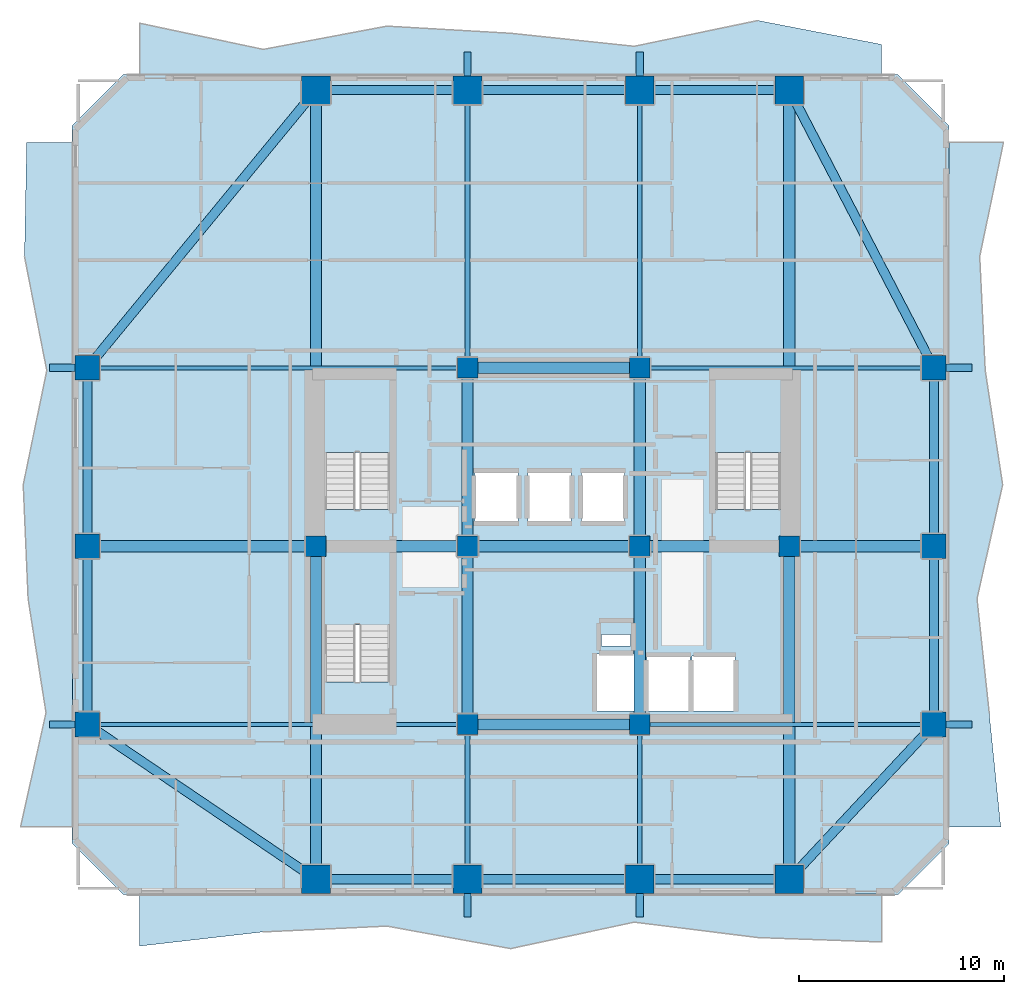
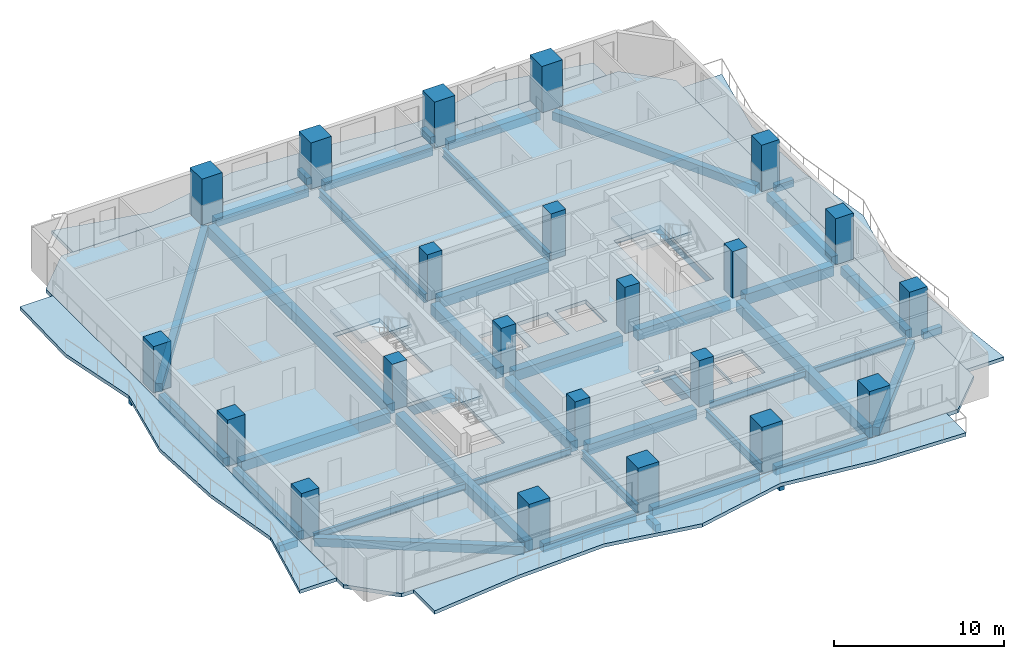
# One storey, part 1 of 12: 45 beams, 22 columns, 8 slabs, 3 elements without a shape of their own.
"""IFC4 building model written with IfcOpenShell, lengths in metres."""

from ifc_helpers import new_model, si_unit, direction, frame, origin, origin_2d, place, context, subcontext, project, spatial, polyline, rectangle, i_section, outline, extrude, material, layer, layer_set, material_profile, profile_set, type_object, element, aggregate, save


model = new_model("IFC4")

# Units and contexts
model_context = context("Model", 3, precision=1e-05, world=origin(), true_north=direction((0.0, 1.0)))
body_context = subcontext(model_context, "Body", "Model", "MODEL_VIEW")
ifc_project = project(units=[si_unit("LENGTHUNIT", "METRE"), si_unit("AREAUNIT", "SQUARE_METRE"), si_unit("VOLUMEUNIT", "CUBIC_METRE"), si_unit("PLANEANGLEUNIT", "RADIAN"), si_unit("MASSUNIT", "GRAM", prefix="KILO")], contexts=[model_context])

# Site, building, storey
site_placement = place(None, origin())
site = spatial("IfcSite", under=ifc_project, at=site_placement, CompositionType="ELEMENT")
building_placement = place(site_placement, origin())
building = spatial("IfcBuilding", under=site, at=building_placement, Name="Solanera Arch Residences", CompositionType="ELEMENT")
storey_placement = place(building_placement, frame((0.0, 0.0, 96.1201171875)))
storey = spatial("IfcBuildingStorey", under=building, at=storey_placement, Name="L27", CompositionType="ELEMENT", Elevation=96.1201171875)

# Columns
ifc_material_1 = material(Name="Concrete C55/67 (f'c = 60 MPa)", Category="concrete")
ifc_material_profile_1 = material_profile(ifc_material_1, rectangle(XDim=1.0, YDim=1.0, at=origin_2d()))
ifc_profile_set_1 = profile_set([ifc_material_profile_1], Name="Concrete C55/67 (f'c = 60 MPa)")
column_type_1 = type_object("IfcColumnType", Name="Structural Column RC-COL-1000X1000", PredefinedType="COLUMN", material=ifc_profile_set_1)
for number, where, z_axis, x_axis, name in (
    (1, (20.800048828125, 22.0, 0.0), (0.0, 0.0, 1.0), (1.0, 0.0, 0.0), "COL-L27-CB-SW"),
    (2, (29.199951171875, 22.0, 0.0), (0.0, 0.0, 1.0), (1.0, 0.0, 0.0), "COL-L27-CB-SE"),
    (3, (20.800048828125, 39.39990234375, 0.0), (0.0, 0.0, 1.0), (1.0, 0.0, 0.0), "COL-L27-CB-NW"),
    (4, (29.199951171875, 39.39990234375, 0.0), (0.0, 0.0, 1.0), (1.0, 0.0, 0.0), "COL-L27-CB-NE"),
    (5, (13.39990234375, 30.699951171875, 0.0), (0.0, 0.0, 1.0), (1.0, 0.0, 0.0), "COL-L27-CB-WW"),
    (6, (36.5, 30.699951171875, 0.0), (0.0, 0.0, 1.0), (1.0, 0.0, 0.0), "COL-L27-CB-EE"),
    (7, (20.800048828125, 30.699951171875, 0.0), (0.0, 0.0, 1.0), (1.0, 0.0, 0.0), "COL-L27-CORE-W"),
    (8, (29.199951171875, 30.699951171875, 0.0), (0.0, 0.0, 1.0), (1.0, 0.0, 0.0), "COL-L27-CORE-E"),
):
    element("IfcColumn", number, at=place(storey_placement, frame(where, z_axis=z_axis, x_axis=x_axis)), inside=storey, type_object=column_type_1, Name=name, PredefinedType="COLUMN", context=body_context, shape_type="SweptSolid", body=[
        extrude(rectangle(XDim=1.0, YDim=1.0, at=origin_2d()), origin(), (0.0, 0.0, 1.0), 3.31982421875),
    ])
ifc_material_2 = material(Name="Concrete C55/67 (f'c = 60 MPa)", Category="concrete")
ifc_material_profile_2 = material_profile(ifc_material_2, rectangle(XDim=1.199951171875, YDim=1.199951171875, at=origin_2d()))
ifc_profile_set_2 = profile_set([ifc_material_profile_2], Name="Concrete C55/67 (f'c = 60 MPa)")
column_type_2 = type_object("IfcColumnType", Name="Structural Column RC-COL-1200X1200", PredefinedType="COLUMN", material=ifc_profile_set_2)
for number, where, z_axis, x_axis, name in (
    (9, (2.25, 22.0, 0.0), (0.0, 0.0, 1.0), (1.0, 0.0, 0.0), "COL-L27-TWR-09"),
    (10, (43.550048828125, 22.0, 0.0), (0.0, 0.0, 1.0), (1.0, 0.0, 0.0), "COL-L27-TWR-10"),
    (11, (2.25, 30.699951171875, 0.0), (0.0, 0.0, 1.0), (1.0, 0.0, 0.0), "COL-L27-TWR-11"),
    (12, (43.550048828125, 30.699951171875, 0.0), (0.0, 0.0, 1.0), (1.0, 0.0, 0.0), "COL-L27-TWR-12"),
    (13, (2.25, 39.39990234375, 0.0), (0.0, 0.0, 1.0), (1.0, 0.0, 0.0), "COL-L27-TWR-13"),
    (14, (43.550048828125, 39.39990234375, 0.0), (0.0, 0.0, 1.0), (1.0, 0.0, 0.0), "COL-L27-TWR-14"),
):
    element("IfcColumn", number, at=place(storey_placement, frame(where, z_axis=z_axis, x_axis=x_axis)), inside=storey, type_object=column_type_2, Name=name, PredefinedType="COLUMN", context=body_context, shape_type="SweptSolid", body=[
        extrude(rectangle(XDim=1.199951171875, YDim=1.199951171875, at=origin_2d()), origin(), (0.0, 0.0, 1.0), 3.31982421875),
    ])
ifc_material_3 = material(Name="Concrete C55/67 (f'c = 60 MPa)", Category="concrete")
ifc_material_profile_3 = material_profile(ifc_material_3, rectangle(XDim=1.39990234375, YDim=1.39990234375, at=origin_2d()))
ifc_profile_set_3 = profile_set([ifc_material_profile_3], Name="Concrete C55/67 (f'c = 60 MPa)")
column_type_3 = type_object("IfcColumnType", Name="Structural Column RC-COL-1400X1400", PredefinedType="COLUMN", material=ifc_profile_set_3)
for number, where, z_axis, x_axis, name in (
    (15, (13.39990234375, 14.449951171875, 0.0), (0.0, 0.0, 1.0), (1.0, 0.0, 0.0), "COL-L27-TWR-01"),
    (16, (13.39990234375, 52.949951171875, 0.0), (0.0, 0.0, 1.0), (1.0, 0.0, 0.0), "COL-L27-TWR-02"),
    (17, (20.800048828125, 14.449951171875, 0.0), (0.0, 0.0, 1.0), (1.0, 0.0, 0.0), "COL-L27-TWR-03"),
    (18, (20.800048828125, 52.949951171875, 0.0), (0.0, 0.0, 1.0), (1.0, 0.0, 0.0), "COL-L27-TWR-04"),
    (19, (29.199951171875, 14.449951171875, 0.0), (0.0, 0.0, 1.0), (1.0, 0.0, 0.0), "COL-L27-TWR-05"),
    (20, (29.199951171875, 52.949951171875, 0.0), (0.0, 0.0, 1.0), (1.0, 0.0, 0.0), "COL-L27-TWR-06"),
    (21, (36.5, 14.449951171875, 0.0), (0.0, 0.0, 1.0), (1.0, 0.0, 0.0), "COL-L27-TWR-07"),
    (22, (36.5, 52.949951171875, 0.0), (0.0, 0.0, 1.0), (1.0, 0.0, 0.0), "COL-L27-TWR-08"),
):
    element("IfcColumn", number, at=place(storey_placement, frame(where, z_axis=z_axis, x_axis=x_axis)), inside=storey, type_object=column_type_3, Name=name, PredefinedType="COLUMN", context=body_context, shape_type="SweptSolid", body=[
        extrude(rectangle(XDim=1.39990234375, YDim=1.39990234375, at=origin_2d()), origin(), (0.0, 0.0, 1.0), 3.31982421875),
    ])

# Beams
ifc_material_4 = material(Name="Concrete C40/50 (f'c = 45 MPa)", Category="concrete")
ifc_material_profile_4 = material_profile(ifc_material_4, rectangle(XDim=0.35009765625, YDim=0.5, at=origin_2d()))
ifc_profile_set_4 = profile_set([ifc_material_profile_4], Name="Concrete C40/50 (f'c = 45 MPa)")
beam_type_1 = type_object("IfcBeamType", Name="BM-BALC-RIB", PredefinedType="BEAM", material=ifc_profile_set_4)
for number, where, z_axis, x_axis, name in (
    (23, (20.800048828125, 12.60009765625, -0.5), (0.0, 1.0, 0.0), (-1.0, 0.0, 0.0), "BM-L27-BRIB-S1"),
    (24, (29.199951171875, 12.60009765625, -0.5), (0.0, 1.0, 0.0), (-1.0, 0.0, 0.0), "BM-L27-BRIB-S2"),
):
    element("IfcBeam", number, at=place(storey_placement, frame(where, z_axis=z_axis, x_axis=x_axis)), inside=storey, type_object=beam_type_1, Name=name, PredefinedType="BEAM", context=body_context, shape_type="SweptSolid", body=[
        extrude(rectangle(XDim=0.35009765625, YDim=0.5, at=origin_2d()), origin(), (0.0, 0.0, 1.0), 1.14990234375),
    ])
for number, where, z_axis, x_axis, name in (
    (25, (20.800048828125, 53.64990234375, -0.5), (0.0, 1.0, 0.0), (-1.0, 0.0, 0.0), "BM-L27-BRIB-N1"),
    (26, (29.199951171875, 53.64990234375, -0.5), (0.0, 1.0, 0.0), (-1.0, 0.0, 0.0), "BM-L27-BRIB-N2"),
):
    element("IfcBeam", number, at=place(storey_placement, frame(where, z_axis=z_axis, x_axis=x_axis)), inside=storey, type_object=beam_type_1, Name=name, PredefinedType="BEAM", context=body_context, shape_type="SweptSolid", body=[
        extrude(rectangle(XDim=0.35009765625, YDim=0.5, at=origin_2d()), origin(), (0.0, 0.0, 1.0), 1.150146484375),
    ])
for number, where, z_axis, x_axis, name in (
    (27, (44.14990234375, 22.0, -0.5), (1.0, 0.0, 0.0), (0.0, 1.0, 0.0), "BM-L27-BRIB-E1"),
    (28, (44.14990234375, 39.39990234375, -0.5), (1.0, 0.0, 0.0), (0.0, 1.0, 0.0), "BM-L27-BRIB-E2"),
    (29, (0.39990234375, 22.0, -0.5), (1.0, 0.0, 0.0), (0.0, 1.0, 0.0), "BM-L27-BRIB-W1"),
    (30, (0.39990234375, 39.39990234375, -0.5), (1.0, 0.0, 0.0), (0.0, 1.0, 0.0), "BM-L27-BRIB-W2"),
):
    element("IfcBeam", number, at=place(storey_placement, frame(where, z_axis=z_axis, x_axis=x_axis)), inside=storey, type_object=beam_type_1, Name=name, PredefinedType="BEAM", context=body_context, shape_type="SweptSolid", body=[
        extrude(rectangle(XDim=0.35009765625, YDim=0.5, at=origin_2d()), origin(), (0.0, 0.0, 1.0), 1.25),
    ])
ifc_material_5 = material(Name="Concrete C40/50 (f'c = 45 MPa)", Category="concrete")
ifc_material_profile_5 = material_profile(ifc_material_5, rectangle(XDim=0.550048828125, YDim=0.75, at=origin_2d()))
ifc_profile_set_5 = profile_set([ifc_material_profile_5], Name="Concrete C40/50 (f'c = 45 MPa)")
beam_type_2 = type_object("IfcBeamType", Name="Primary Beam RC-BM-550X750", PredefinedType="BEAM", material=ifc_profile_set_5)
beam_1_placement = place(storey_placement, frame((20.800048828125, 22.50390625, -0.635009765625), z_axis=(0.0, 1.0, 0.0), x_axis=(-1.0, 0.0, 0.0)))
element("IfcBeam", 31, at=beam_1_placement, inside=storey, type_object=beam_type_2, Name="BM-L27-CC-S-208", PredefinedType="BEAM", context=body_context, shape_type="SweptSolid", body=[
    extrude(rectangle(XDim=0.550048828125, YDim=0.75, at=origin_2d()), origin(), (0.0, 0.0, 1.0), 7.692138671875),
])
beam_2_placement = place(storey_placement, frame((20.800048828125, 31.2041015625, -0.635009765625), z_axis=(0.0, 1.0, 0.0), x_axis=(-1.0, 0.0, 0.0)))
element("IfcBeam", 32, at=beam_2_placement, inside=storey, type_object=beam_type_2, Name="BM-L27-CC-N-208", PredefinedType="BEAM", context=body_context, shape_type="SweptSolid", body=[
    extrude(rectangle(XDim=0.550048828125, YDim=0.75, at=origin_2d()), origin(), (0.0, 0.0, 1.0), 7.69189453125),
])
beam_3_placement = place(storey_placement, frame((29.199951171875, 22.50390625, -0.635009765625), z_axis=(0.0, 1.0, 0.0), x_axis=(-1.0, 0.0, 0.0)))
element("IfcBeam", 33, at=beam_3_placement, inside=storey, type_object=beam_type_2, Name="BM-L27-CC-S-292", PredefinedType="BEAM", context=body_context, shape_type="SweptSolid", body=[
    extrude(rectangle(XDim=0.550048828125, YDim=0.75, at=origin_2d()), origin(), (0.0, 0.0, 1.0), 7.692138671875),
])
beam_4_placement = place(storey_placement, frame((29.199951171875, 31.2041015625, -0.635009765625), z_axis=(0.0, 1.0, 0.0), x_axis=(-1.0, 0.0, 0.0)))
element("IfcBeam", 34, at=beam_4_placement, inside=storey, type_object=beam_type_2, Name="BM-L27-CC-N-292", PredefinedType="BEAM", context=body_context, shape_type="SweptSolid", body=[
    extrude(rectangle(XDim=0.550048828125, YDim=0.75, at=origin_2d()), origin(), (0.0, 0.0, 1.0), 7.69189453125),
])
for number, where, z_axis, x_axis, name in (
    (35, (21.303955078125, 22.0, -0.635009765625), (1.0, 0.0, 0.0), (0.0, 1.0, 0.0), "BM-L27-CC-M-220"),
    (36, (21.303955078125, 30.699951171875, -0.635009765625), (1.0, 0.0, 0.0), (0.0, 1.0, 0.0), "BM-L27-CC-M-307"),
    (37, (21.303955078125, 39.39990234375, -0.635009765625), (1.0, 0.0, 0.0), (0.0, 1.0, 0.0), "BM-L27-CC-M-394"),
):
    element("IfcBeam", number, at=place(storey_placement, frame(where, z_axis=z_axis, x_axis=x_axis)), inside=storey, type_object=beam_type_2, Name=name, PredefinedType="BEAM", context=body_context, shape_type="SweptSolid", body=[
        extrude(rectangle(XDim=0.550048828125, YDim=0.75, at=origin_2d()), origin(), (0.0, 0.0, 1.0), 7.39208984375),
    ])
beam_5_placement = place(storey_placement, frame((13.904052734375, 30.699951171875, -0.635009765625), z_axis=(1.0, 0.0, 0.0), x_axis=(0.0, 1.0, 0.0)))
element("IfcBeam", 38, at=beam_5_placement, inside=storey, type_object=beam_type_2, Name="BM-L27-CC-W", PredefinedType="BEAM", context=body_context, shape_type="SweptSolid", body=[
    extrude(rectangle(XDim=0.550048828125, YDim=0.75, at=origin_2d()), origin(), (0.0, 0.0, 1.0), 6.391845703125),
])
beam_6_placement = place(storey_placement, frame((29.7041015625, 30.699951171875, -0.635009765625), z_axis=(1.0, 0.0, 0.0), x_axis=(0.0, 1.0, 0.0)))
element("IfcBeam", 39, at=beam_6_placement, inside=storey, type_object=beam_type_2, Name="BM-L27-CC-E", PredefinedType="BEAM", context=body_context, shape_type="SweptSolid", body=[
    extrude(rectangle(XDim=0.550048828125, YDim=0.75, at=origin_2d()), origin(), (0.0, 0.0, 1.0), 6.2919921875),
])
beam_7_placement = place(storey_placement, frame((13.39990234375, 14.989990234375, -0.635009765625), z_axis=(0.0, 1.0, 0.0), x_axis=(-1.0, 0.0, 0.0)))
element("IfcBeam", 40, at=beam_7_placement, inside=storey, type_object=beam_type_2, Name="BM-L27-RAD-OS-134", PredefinedType="BEAM", context=body_context, shape_type="SweptSolid", body=[
    extrude(rectangle(XDim=0.550048828125, YDim=0.75, at=origin_2d()), origin(), (0.0, 0.0, 1.0), 15.2060546875),
])
beam_8_placement = place(storey_placement, frame((13.39990234375, 31.2041015625, -0.635009765625), z_axis=(0.0, 1.0, 0.0), x_axis=(-1.0, 0.0, 0.0)))
element("IfcBeam", 41, at=beam_8_placement, inside=storey, type_object=beam_type_2, Name="BM-L27-RAD-ON-134", PredefinedType="BEAM", context=body_context, shape_type="SweptSolid", body=[
    extrude(rectangle(XDim=0.550048828125, YDim=0.75, at=origin_2d()), origin(), (0.0, 0.0, 1.0), 21.205810546875),
])
beam_9_placement = place(storey_placement, frame((36.5, 14.989990234375, -0.635009765625), z_axis=(0.0, 1.0, 0.0), x_axis=(-1.0, 0.0, 0.0)))
element("IfcBeam", 42, at=beam_9_placement, inside=storey, type_object=beam_type_2, Name="BM-L27-RAD-OS-365", PredefinedType="BEAM", context=body_context, shape_type="SweptSolid", body=[
    extrude(rectangle(XDim=0.550048828125, YDim=0.75, at=origin_2d()), origin(), (0.0, 0.0, 1.0), 15.2060546875),
])
beam_10_placement = place(storey_placement, frame((36.5, 31.2041015625, -0.635009765625), z_axis=(0.0, 1.0, 0.0), x_axis=(-1.0, 0.0, 0.0)))
element("IfcBeam", 43, at=beam_10_placement, inside=storey, type_object=beam_type_2, Name="BM-L27-RAD-ON-365", PredefinedType="BEAM", context=body_context, shape_type="SweptSolid", body=[
    extrude(rectangle(XDim=0.550048828125, YDim=0.75, at=origin_2d()), origin(), (0.0, 0.0, 1.0), 21.205810546875),
])
beam_11_placement = place(storey_placement, frame((2.7900390625, 30.699951171875, -0.635009765625), z_axis=(1.0, 0.0, 0.0), x_axis=(0.0, 1.0, 0.0)))
element("IfcBeam", 44, at=beam_11_placement, inside=storey, type_object=beam_type_2, Name="BM-L27-RAD-MW", PredefinedType="BEAM", context=body_context, shape_type="SweptSolid", body=[
    extrude(rectangle(XDim=0.550048828125, YDim=0.75, at=origin_2d()), origin(), (0.0, 0.0, 1.0), 10.10595703125),
])
beam_12_placement = place(storey_placement, frame((37.00390625, 30.699951171875, -0.635009765625), z_axis=(1.0, 0.0, 0.0), x_axis=(0.0, 1.0, 0.0)))
element("IfcBeam", 45, at=beam_12_placement, inside=storey, type_object=beam_type_2, Name="BM-L27-RAD-ME", PredefinedType="BEAM", context=body_context, shape_type="SweptSolid", body=[
    extrude(rectangle(XDim=0.550048828125, YDim=0.75, at=origin_2d()), origin(), (0.0, 0.0, 1.0), 6.006103515625),
])
ifc_material_6 = material(Name="Steel S355 (ASTM A992 / A572 Grade 50)", Category="steel")
ifc_material_profile_6 = material_profile(ifc_material_6, i_section(OverallWidth=0.22998046875, OverallDepth=0.616943359375, WebThickness=0.01318359375, FlangeThickness=0.022216796875, at=origin_2d()))
ifc_profile_set_6 = profile_set([ifc_material_profile_6], Name="Steel S355 (ASTM A992 / A572 Grade 50)")
beam_type_3 = type_object("IfcBeamType", Name="Primary Beam W610X140", PredefinedType="BEAM", material=ifc_profile_set_6)
beam_13_placement = place(storey_placement, frame((20.800048828125, 14.989990234375, -0.568115234375), z_axis=(0.0, 1.0, 0.0), x_axis=(-1.0, 0.0, 0.0)))
element("IfcBeam", 46, at=beam_13_placement, inside=storey, type_object=beam_type_3, Name="BM-L27-RAD-S-208", PredefinedType="BEAM", context=body_context, shape_type="SweptSolid", body=[
    extrude(i_section(OverallWidth=0.22998046875, OverallDepth=0.616943359375, WebThickness=0.01318359375, FlangeThickness=0.022216796875, at=origin_2d()), origin(), (0.0, 0.0, 1.0), 6.506103515625),
])
beam_14_placement = place(storey_placement, frame((20.800048828125, 39.904052734375, -0.568115234375), z_axis=(0.0, 1.0, 0.0), x_axis=(-1.0, 0.0, 0.0)))
element("IfcBeam", 47, at=beam_14_placement, inside=storey, type_object=beam_type_3, Name="BM-L27-RAD-N-208", PredefinedType="BEAM", context=body_context, shape_type="SweptSolid", body=[
    extrude(i_section(OverallWidth=0.22998046875, OverallDepth=0.616943359375, WebThickness=0.01318359375, FlangeThickness=0.022216796875, at=origin_2d()), origin(), (0.0, 0.0, 1.0), 12.505859375),
])
beam_15_placement = place(storey_placement, frame((29.199951171875, 14.989990234375, -0.568115234375), z_axis=(0.0, 1.0, 0.0), x_axis=(-1.0, 0.0, 0.0)))
element("IfcBeam", 48, at=beam_15_placement, inside=storey, type_object=beam_type_3, Name="BM-L27-RAD-S-292", PredefinedType="BEAM", context=body_context, shape_type="SweptSolid", body=[
    extrude(i_section(OverallWidth=0.22998046875, OverallDepth=0.616943359375, WebThickness=0.01318359375, FlangeThickness=0.022216796875, at=origin_2d()), origin(), (0.0, 0.0, 1.0), 6.506103515625),
])
beam_16_placement = place(storey_placement, frame((29.199951171875, 39.904052734375, -0.568115234375), z_axis=(0.0, 1.0, 0.0), x_axis=(-1.0, 0.0, 0.0)))
element("IfcBeam", 49, at=beam_16_placement, inside=storey, type_object=beam_type_3, Name="BM-L27-RAD-N-292", PredefinedType="BEAM", context=body_context, shape_type="SweptSolid", body=[
    extrude(i_section(OverallWidth=0.22998046875, OverallDepth=0.616943359375, WebThickness=0.01318359375, FlangeThickness=0.022216796875, at=origin_2d()), origin(), (0.0, 0.0, 1.0), 12.505859375),
])
ifc_material_7 = material(Name="Steel S355 (ASTM A992 / A572 Grade 50)", Category="steel")
ifc_material_profile_7 = material_profile(ifc_material_7, i_section(OverallWidth=0.19091796875, OverallDepth=0.4599609375, WebThickness=0.010009765625, FlangeThickness=0.01611328125, at=origin_2d()))
ifc_profile_set_7 = profile_set([ifc_material_profile_7], Name="Steel S355 (ASTM A992 / A572 Grade 50)")
beam_type_4 = type_object("IfcBeamType", Name="Secondary Joist W460X82", PredefinedType="JOIST", material=ifc_profile_set_7)
beam_17_placement = place(storey_placement, frame((2.7900390625, 22.0, -0.490234375), z_axis=(1.0, 0.0, 0.0), x_axis=(0.0, 1.0, 0.0)))
element("IfcBeam", 50, at=beam_17_placement, inside=storey, type_object=beam_type_4, Name="BM-L27-RAD-W-220", PredefinedType="JOIST", context=body_context, shape_type="SweptSolid", body=[
    extrude(i_section(OverallWidth=0.19091796875, OverallDepth=0.4599609375, WebThickness=0.010009765625, FlangeThickness=0.01611328125, at=origin_2d()), origin(), (0.0, 0.0, 1.0), 17.505859375),
])
beam_18_placement = place(storey_placement, frame((29.7041015625, 22.0, -0.490234375), z_axis=(1.0, 0.0, 0.0), x_axis=(0.0, 1.0, 0.0)))
element("IfcBeam", 51, at=beam_18_placement, inside=storey, type_object=beam_type_4, Name="BM-L27-RAD-E-220", PredefinedType="JOIST", context=body_context, shape_type="SweptSolid", body=[
    extrude(i_section(OverallWidth=0.19091796875, OverallDepth=0.4599609375, WebThickness=0.010009765625, FlangeThickness=0.01611328125, at=origin_2d()), origin(), (0.0, 0.0, 1.0), 13.305908203125),
])
beam_19_placement = place(storey_placement, frame((2.7900390625, 39.39990234375, -0.490234375), z_axis=(1.0, 0.0, 0.0), x_axis=(0.0, 1.0, 0.0)))
element("IfcBeam", 52, at=beam_19_placement, inside=storey, type_object=beam_type_4, Name="BM-L27-RAD-W-394", PredefinedType="JOIST", context=body_context, shape_type="SweptSolid", body=[
    extrude(i_section(OverallWidth=0.19091796875, OverallDepth=0.4599609375, WebThickness=0.010009765625, FlangeThickness=0.01611328125, at=origin_2d()), origin(), (0.0, 0.0, 1.0), 17.505859375),
])
beam_20_placement = place(storey_placement, frame((29.7041015625, 39.39990234375, -0.490234375), z_axis=(1.0, 0.0, 0.0), x_axis=(0.0, 1.0, 0.0)))
element("IfcBeam", 53, at=beam_20_placement, inside=storey, type_object=beam_type_4, Name="BM-L27-RAD-E-394", PredefinedType="JOIST", context=body_context, shape_type="SweptSolid", body=[
    extrude(i_section(OverallWidth=0.19091796875, OverallDepth=0.4599609375, WebThickness=0.010009765625, FlangeThickness=0.01611328125, at=origin_2d()), origin(), (0.0, 0.0, 1.0), 13.305908203125),
])
ifc_material_8 = material(Name="Concrete C40/50 (f'c = 45 MPa)", Category="concrete")
ifc_material_profile_8 = material_profile(ifc_material_8, rectangle(XDim=0.449951171875, YDim=0.60009765625, at=origin_2d()))
ifc_profile_set_8 = profile_set([ifc_material_profile_8], Name="Concrete C40/50 (f'c = 45 MPa)")
beam_type_5 = type_object("IfcBeamType", Name="Spandrel Beam RC-BM-450X600", PredefinedType="SPANDREL", material=ifc_profile_set_8)
for number, where, z_axis, x_axis, name in (
    (54, (13.93994140625, 14.449951171875, -0.56005859375), (1.0, 0.0, 0.0), (0.0, 1.0, 0.0), "BM-L27-SPN-S-1"),
    (55, (13.93994140625, 52.949951171875, -0.56005859375), (1.0, 0.0, 0.0), (0.0, 1.0, 0.0), "BM-L27-SPN-N-1"),
):
    element("IfcBeam", number, at=place(storey_placement, frame(where, z_axis=z_axis, x_axis=x_axis)), inside=storey, type_object=beam_type_5, Name=name, PredefinedType="SPANDREL", context=body_context, shape_type="SweptSolid", body=[
        extrude(rectangle(XDim=0.449951171875, YDim=0.60009765625, at=origin_2d()), origin(), (0.0, 0.0, 1.0), 6.320068359375),
    ])
for number, where, z_axis, x_axis, name in (
    (56, (21.340087890625, 14.449951171875, -0.56005859375), (1.0, 0.0, 0.0), (0.0, 1.0, 0.0), "BM-L27-SPN-S-2"),
    (57, (21.340087890625, 52.949951171875, -0.56005859375), (1.0, 0.0, 0.0), (0.0, 1.0, 0.0), "BM-L27-SPN-N-2"),
):
    element("IfcBeam", number, at=place(storey_placement, frame(where, z_axis=z_axis, x_axis=x_axis)), inside=storey, type_object=beam_type_5, Name=name, PredefinedType="SPANDREL", context=body_context, shape_type="SweptSolid", body=[
        extrude(rectangle(XDim=0.449951171875, YDim=0.60009765625, at=origin_2d()), origin(), (0.0, 0.0, 1.0), 7.31982421875),
    ])
for number, where, z_axis, x_axis, name in (
    (58, (29.739990234375, 14.449951171875, -0.56005859375), (1.0, 0.0, 0.0), (0.0, 1.0, 0.0), "BM-L27-SPN-S-3"),
    (59, (29.739990234375, 52.949951171875, -0.56005859375), (1.0, 0.0, 0.0), (0.0, 1.0, 0.0), "BM-L27-SPN-N-3"),
):
    element("IfcBeam", number, at=place(storey_placement, frame(where, z_axis=z_axis, x_axis=x_axis)), inside=storey, type_object=beam_type_5, Name=name, PredefinedType="SPANDREL", context=body_context, shape_type="SweptSolid", body=[
        extrude(rectangle(XDim=0.449951171875, YDim=0.60009765625, at=origin_2d()), origin(), (0.0, 0.0, 1.0), 6.219970703125),
    ])
for number, where, z_axis, x_axis, name in (
    (60, (2.25, 22.5400390625, -0.56005859375), (0.0, 1.0, 0.0), (-1.0, 0.0, 0.0), "BM-L27-SPN-W-1"),
    (61, (43.550048828125, 22.5400390625, -0.56005859375), (0.0, 1.0, 0.0), (-1.0, 0.0, 0.0), "BM-L27-SPN-E-1"),
):
    element("IfcBeam", number, at=place(storey_placement, frame(where, z_axis=z_axis, x_axis=x_axis)), inside=storey, type_object=beam_type_5, Name=name, PredefinedType="SPANDREL", context=body_context, shape_type="SweptSolid", body=[
        extrude(rectangle(XDim=0.449951171875, YDim=0.60009765625, at=origin_2d()), origin(), (0.0, 0.0, 1.0), 7.619873046875),
    ])
for number, where, z_axis, x_axis, name in (
    (62, (2.25, 31.239990234375, -0.56005859375), (0.0, 1.0, 0.0), (-1.0, 0.0, 0.0), "BM-L27-SPN-W-2"),
    (63, (43.550048828125, 31.239990234375, -0.56005859375), (0.0, 1.0, 0.0), (-1.0, 0.0, 0.0), "BM-L27-SPN-E-2"),
):
    element("IfcBeam", number, at=place(storey_placement, frame(where, z_axis=z_axis, x_axis=x_axis)), inside=storey, type_object=beam_type_5, Name=name, PredefinedType="SPANDREL", context=body_context, shape_type="SweptSolid", body=[
        extrude(rectangle(XDim=0.449951171875, YDim=0.60009765625, at=origin_2d()), origin(), (0.0, 0.0, 1.0), 7.6201171875),
    ])
beam_21_placement = place(storey_placement, frame((12.952880859375, 14.7529296875, -0.56005859375), z_axis=(-0.828047103834, 0.560658535859, 0.0), x_axis=(-0.560658535859, -0.828047103834, 0.0)))
element("IfcBeam", 64, at=beam_21_placement, inside=storey, type_object=beam_type_5, Name="BM-L27-SPN-SW", PredefinedType="SPANDREL", context=body_context, shape_type="SweptSolid", body=[
    extrude(rectangle(XDim=0.449951171875, YDim=0.60009765625, at=origin_2d()), origin(), (0.0, 0.0, 1.0), 12.385498046875),
])
beam_22_placement = place(storey_placement, frame((13.056884765625, 52.532958984375, -0.56005859375), z_axis=(-0.635411006368, -0.772174107949, 0.0), x_axis=(0.772174107949, -0.635411006368, 0.0)))
element("IfcBeam", 65, at=beam_22_placement, inside=storey, type_object=beam_type_5, Name="BM-L27-SPN-NW", PredefinedType="SPANDREL", context=body_context, shape_type="SweptSolid", body=[
    extrude(rectangle(XDim=0.449951171875, YDim=0.60009765625, at=origin_2d()), origin(), (0.0, 0.0, 1.0), 16.4677734375),
])
beam_23_placement = place(storey_placement, frame((36.868896484375, 14.844970703125, -0.56005859375), z_axis=(0.68247247993, 0.730911290198, 0.0), x_axis=(-0.730911290198, 0.68247247993, 0.0)))
element("IfcBeam", 66, at=beam_23_placement, inside=storey, type_object=beam_type_5, Name="BM-L27-SPN-SE", PredefinedType="SPANDREL", context=body_context, shape_type="SweptSolid", body=[
    extrude(rectangle(XDim=0.449951171875, YDim=0.60009765625, at=origin_2d()), origin(), (0.0, 0.0, 1.0), 9.248779296875),
])
beam_24_placement = place(storey_placement, frame((36.7490234375, 52.470947265625, -0.56005859375), z_axis=(0.461582336362, -0.887097371633, 0.0), x_axis=(0.887097371633, 0.461582336362, 0.0)))
element("IfcBeam", 67, at=beam_24_placement, inside=storey, type_object=beam_type_5, Name="BM-L27-SPN-NE", PredefinedType="SPANDREL", context=body_context, shape_type="SweptSolid", body=[
    extrude(rectangle(XDim=0.449951171875, YDim=0.60009765625, at=origin_2d()), origin(), (0.0, 0.0, 1.0), 14.194580078125),
])

# Slabs
ifc_material_9 = material(Name="Concrete C40/50 (f'c = 45 MPa)", Category="concrete")
ifc_layer_1 = layer(ifc_material_9, 0.25)
ifc_layer_set_1 = layer_set([ifc_layer_1], Name="Concrete C40/50 (f'c = 45 MPa)")
slab_type_1 = type_object("IfcSlabType", Name="Balcony Slab 250", PredefinedType="FLOOR", material=ifc_layer_set_1)
slab_1_placement = place(storey_placement, frame((0.0, 0.0, -0.25)))
element("IfcSlab", 68, at=slab_1_placement, inside=storey, type_object=slab_type_1, Name="L27 S Rippling Brise-Soleil Balcony Slab", PredefinedType="FLOOR", context=body_context, shape_type="SweptSolid", body=[
    extrude(outline(polyline([(4.800048828125, 11.18603515625), (10.8330078125, 11.8798828125), (16.866943359375, 12.162109375), (22.89990234375, 11.06396484375), (28.93310546875, 12.35498046875), (34.967041015625, 11.60302734375), (41.0, 11.388916015625), (41.0, 13.719970703125), (4.800048828125, 13.719970703125), (4.800048828125, 11.18603515625)])), origin(), (0.0, 0.0, 1.0), 0.25),
])
slab_2_placement = place(storey_placement, frame((0.0, 0.0, -0.25)))
element("IfcSlab", 69, at=slab_2_placement, inside=storey, type_object=slab_type_1, Name="L27 N Rippling Brise-Soleil Balcony Slab", PredefinedType="FLOOR", context=body_context, shape_type="SweptSolid", body=[
    extrude(outline(polyline([(41.0, 55.178955078125), (34.967041015625, 56.346923828125), (28.93310546875, 55.087890625), (22.89990234375, 55.722900390625), (16.866943359375, 56.072021484375), (10.8330078125, 54.93701171875), (4.800048828125, 56.214111328125), (4.800048828125, 53.679931640625), (41.0, 53.679931640625), (41.0, 55.178955078125)])), origin(), (0.0, 0.0, 1.0), 0.25),
])
slab_3_placement = place(storey_placement, frame((0.0, 0.0, -0.25)))
element("IfcSlab", 70, at=slab_3_placement, inside=storey, type_object=slab_type_1, Name="L27 E Rippling Brise-Soleil Balcony Slab", PredefinedType="FLOOR", context=body_context, shape_type="SweptSolid", body=[
    extrude(outline(polyline([(46.81396484375, 17.0), (46.2490234375, 22.56689453125), (45.655029296875, 28.133056640625), (46.906005859375, 33.699951171875), (46.055908203125, 39.26708984375), (45.785888671875, 44.8330078125), (46.947998046875, 50.39990234375), (44.280029296875, 50.39990234375), (44.280029296875, 17.0), (46.81396484375, 17.0)])), origin(), (0.0, 0.0, 1.0), 0.25),
])
slab_4_placement = place(storey_placement, frame((0.0, 0.0, -0.25)))
element("IfcSlab", 71, at=slab_4_placement, inside=storey, type_object=slab_type_1, Name="L27 W Rippling Brise-Soleil Balcony Slab", PredefinedType="FLOOR", context=body_context, shape_type="SweptSolid", body=[
    extrude(outline(polyline([(-0.7119140625, 50.39990234375), (-0.819091796875, 44.8330078125), (0.26904296875, 39.26708984375), (-0.8798828125, 33.699951171875), (-0.64208984375, 28.133056640625), (0.23193359375, 22.56689453125), (-1.013916015625, 17.0), (1.52001953125, 17.0), (1.52001953125, 50.39990234375), (-0.7119140625, 50.39990234375)])), origin(), (0.0, 0.0, 1.0), 0.25),
])

# Stair, slab
ifc_material_10 = material(Name="Concrete C40/50 (f'c = 45 MPa)", Category="concrete")
stair_type = type_object("IfcStairType", Name="Tower Dogleg Exit Stair 1480", PredefinedType="HALF_TURN_STAIR", material=ifc_material_10)
stair_1_placement = place(storey_placement, origin())
stair_1 = element("IfcStair", 72, at=stair_1_placement, inside=storey, type_object=stair_type, Name="L27 Tower Core Exit Stair 1", PredefinedType="HALF_TURN_STAIR")
ifc_material_11 = material(Name="Concrete C40/50 (f'c = 45 MPa)", Category="concrete")
ifc_layer_2 = layer(ifc_material_11, 0.199951171875)
ifc_layer_set_2 = layer_set([ifc_layer_2], Name="Concrete C40/50 (f'c = 45 MPa)")
slab_type_2 = type_object("IfcSlabType", Name="Stair Half-Landing Slab 200", PredefinedType="LANDING", material=ifc_layer_set_2)
slab_5_placement = place(storey_placement, frame((0.0, 0.0, 1.4599609375)))
slab_5 = element("IfcSlab", 73, at=slab_5_placement, type_object=slab_type_2, Name="ST-T1 landing 1", PredefinedType="LANDING", context=body_context, shape_type="SweptSolid", body=[
    extrude(outline(polyline([(17.1201171875, 35.260009765625), (17.1201171875, 38.919921875), (13.719970703125, 38.919921875), (13.719970703125, 35.260009765625), (17.1201171875, 35.260009765625)])), origin(), (0.0, 0.0, 1.0), 0.199951171875),
])
aggregate(stair_1, [slab_5])

stair_2_placement = place(storey_placement, origin())
stair_2 = element("IfcStair", 74, at=stair_2_placement, inside=storey, type_object=stair_type, Name="L27 Tower Core Exit Stair 2", PredefinedType="HALF_TURN_STAIR")
slab_6_placement = place(storey_placement, frame((0.0, 0.0, 1.4599609375)))
slab_6 = element("IfcSlab", 75, at=slab_6_placement, type_object=slab_type_2, Name="ST-T2 landing 1", PredefinedType="LANDING", context=body_context, shape_type="SweptSolid", body=[
    extrude(outline(polyline([(36.179931640625, 35.260009765625), (36.179931640625, 38.919921875), (32.780029296875, 38.919921875), (32.780029296875, 35.260009765625), (36.179931640625, 35.260009765625)])), origin(), (0.0, 0.0, 1.0), 0.199951171875),
])
aggregate(stair_2, [slab_6])

stair_3_placement = place(storey_placement, origin())
stair_3 = element("IfcStair", 76, at=stair_3_placement, inside=storey, type_object=stair_type, Name="L27 Tower Core Exit Stair 3", PredefinedType="HALF_TURN_STAIR")
slab_7_placement = place(storey_placement, frame((0.0, 0.0, 1.4599609375)))
slab_7 = element("IfcSlab", 77, at=slab_7_placement, type_object=slab_type_2, Name="ST-T3 landing 1", PredefinedType="LANDING", context=body_context, shape_type="SweptSolid", body=[
    extrude(outline(polyline([(17.1201171875, 26.860107421875), (17.1201171875, 30.52001953125), (13.719970703125, 30.52001953125), (13.719970703125, 26.860107421875), (17.1201171875, 26.860107421875)])), origin(), (0.0, 0.0, 1.0), 0.199951171875),
])
aggregate(stair_3, [slab_7])

# Slab
ifc_material_12 = material(Name="Concrete C40/50 (f'c = 45 MPa)", Category="concrete")
ifc_layer_3 = layer(ifc_material_12, 0.260009765625)
ifc_layer_set_3 = layer_set([ifc_layer_3], Name="Concrete C40/50 (f'c = 45 MPa)")
slab_type_3 = type_object("IfcSlabType", Name="Suspended Floor Slab Post-Tensioned 260", PredefinedType="FLOOR", material=ifc_layer_set_3)
slab_8_placement = place(storey_placement, frame((0.0, 0.0, -0.260009765625)))
element("IfcSlab", 78, at=slab_8_placement, inside=storey, type_object=slab_type_3, Name="L27 Tower Post-Tensioned Floor Slab", PredefinedType="FLOOR", context=body_context, shape_type="SweptSolid", body=[
    extrude(outline(polyline([(4.0, 13.699951171875), (41.800048828125, 13.699951171875), (44.300048828125, 16.199951171875), (44.300048828125, 51.199951171875), (41.800048828125, 53.699951171875), (4.0, 53.699951171875), (1.5, 51.199951171875), (1.5, 16.199951171875), (4.0, 13.699951171875)]), holes=[polyline([(13.840087890625, 32.48291015625), (13.840087890625, 38.800048828125), (17.0, 38.800048828125), (17.0, 32.48291015625), (13.840087890625, 32.48291015625)]), polyline([(32.89990234375, 32.48291015625), (32.89990234375, 38.800048828125), (36.06005859375, 38.800048828125), (36.06005859375, 32.48291015625), (32.89990234375, 32.48291015625)]), polyline([(13.840087890625, 24.0830078125), (13.840087890625, 30.39990234375), (17.0, 30.39990234375), (17.0, 24.0830078125), (13.840087890625, 24.0830078125)]), polyline([(21.14990234375, 34.35009765625), (23.25, 34.35009765625), (23.25, 31.85009765625), (21.14990234375, 31.85009765625), (21.14990234375, 34.35009765625)]), polyline([(23.75, 34.35009765625), (25.85009765625, 34.35009765625), (25.85009765625, 31.85009765625), (23.75, 31.85009765625), (23.75, 34.35009765625)]), polyline([(26.35009765625, 34.35009765625), (28.449951171875, 34.35009765625), (28.449951171875, 31.85009765625), (26.35009765625, 31.85009765625), (26.35009765625, 34.35009765625)]), polyline([(29.550048828125, 25.35009765625), (31.64990234375, 25.35009765625), (31.64990234375, 22.64990234375), (29.550048828125, 22.64990234375), (29.550048828125, 25.35009765625)]), polyline([(31.75, 25.35009765625), (33.85009765625, 25.35009765625), (33.85009765625, 22.64990234375), (31.75, 22.64990234375), (31.75, 25.35009765625)]), polyline([(27.050048828125, 25.449951171875), (29.35009765625, 25.449951171875), (29.35009765625, 22.64990234375), (27.050048828125, 22.64990234375), (27.050048828125, 25.449951171875)]), polyline([(27.340087890625, 26.3798828125), (28.760009765625, 26.3798828125), (28.760009765625, 25.820068359375), (27.340087890625, 25.820068359375), (27.340087890625, 26.3798828125)])]), origin(), (0.0, 0.0, 1.0), 0.260009765625),
])

save(model, "model.ifc")
